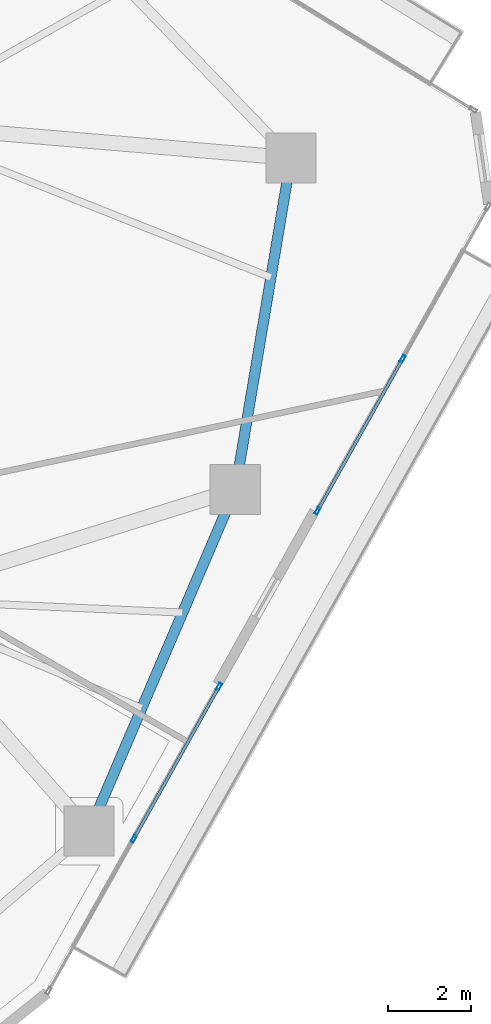
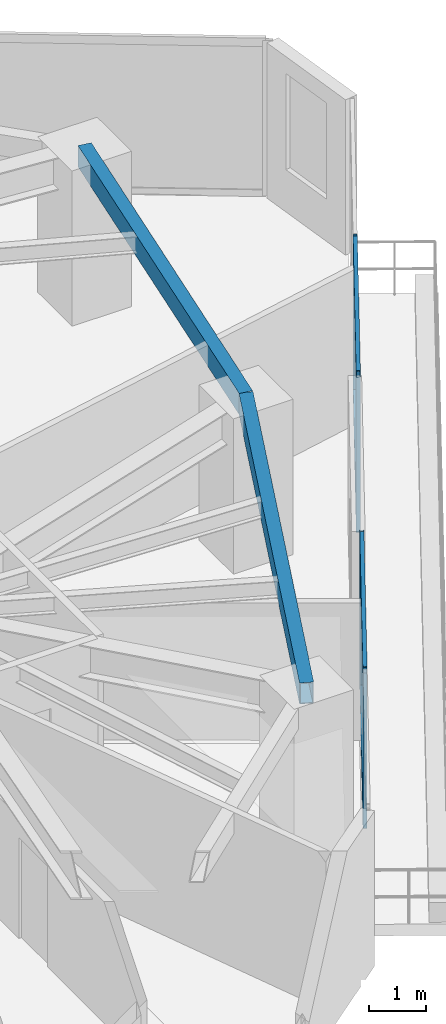
# One storey, part 10 of 21: 8 members, 2 beams, 2 elements without a shape of their own.
"""IFC4 building model written with IfcOpenShell, lengths in metres."""

from ifc_helpers import new_model, si_unit, direction, frame, origin, origin_2d, place, context, subcontext, project, spatial, hollow_rectangle, extrude, source, transform, mapped, material, layer, layer_set, material_profile, profile_set, type_object, type_shapes, element, aggregate, save


model = new_model("IFC4")

# Units and contexts
model_context = context("Model", 3, precision=1e-05, world=origin(), true_north=direction((0.0, 1.0)))
body_context = subcontext(model_context, "Body", "Model", "MODEL_VIEW")
ifc_project = project(units=[si_unit("LENGTHUNIT", "METRE"), si_unit("AREAUNIT", "SQUARE_METRE"), si_unit("VOLUMEUNIT", "CUBIC_METRE"), si_unit("PLANEANGLEUNIT", "RADIAN"), si_unit("MASSUNIT", "GRAM", prefix="KILO")], contexts=[model_context])

# Site, building, storey
site_placement = place(None, origin())
site = spatial("IfcSite", under=ifc_project, at=site_placement, CompositionType="ELEMENT")
building_placement = place(site_placement, origin())
building = spatial("IfcBuilding", under=site, at=building_placement, Name="Talar Marvaseh", CompositionType="ELEMENT")
storey_placement = place(building_placement, frame((0.0, 0.0, 139.800048828125)))
storey = spatial("IfcBuildingStorey", under=building, at=storey_placement, Name="L36", CompositionType="ELEMENT", Elevation=139.800048828125)

# Beams
ifc_material_1 = material(Name="Steel S355", Category="steel")
ifc_material_profile_1 = material_profile(ifc_material_1, hollow_rectangle(XDim=0.25, YDim=0.449951171875, WallThickness=0.01611328125, at=origin_2d()), Name="RHS450x250x16")
ifc_profile_set_1 = profile_set([ifc_material_profile_1], Name="Steel S355")
beam_type = type_object("IfcBeamType", Name="Zone 2 Perimeter Spandrel Beam RHS450x250x16", PredefinedType="SPANDREL", material=ifc_profile_set_1)
beam_1_placement = place(storey_placement, frame((43.0439453125, 36.075927734375, 3.0849609375), z_axis=(-0.165641685249, -0.986186002795, 0.0), x_axis=(0.986186002795, -0.165641685249, 0.0)))
element("IfcBeam", 1, at=beam_1_placement, inside=storey, type_object=beam_type, Name="L36 Zone 2 Perimeter Spandrel Beam RHS450x250x16", PredefinedType="SPANDREL", context=body_context, shape_type="SweptSolid", body=[
    extrude(hollow_rectangle(XDim=0.25, YDim=0.449951171875, WallThickness=0.01611328125, at=origin_2d()), origin(), (0.0, 0.0, 1.0), 8.059326171875),
])
beam_2_placement = place(storey_placement, frame((41.708984375, 28.1279296875, 3.0849609375), z_axis=(-0.393369955619, -0.919380268451, 0.0), x_axis=(0.919380268451, -0.393369955619, 0.0)))
element("IfcBeam", 2, at=beam_2_placement, inside=storey, type_object=beam_type, Name="L36 Zone 2 Perimeter Spandrel Beam RHS450x250x16", PredefinedType="SPANDREL", context=body_context, shape_type="SweptSolid", body=[
    extrude(hollow_rectangle(XDim=0.25, YDim=0.449951171875, WallThickness=0.01611328125, at=origin_2d()), origin(), (0.0, 0.0, 1.0), 8.905029296875),
])

# Curtain wall, members
ifc_material_2 = material(Name="Architectural Aluminium", Category="aluminium")
ifc_layer = layer(ifc_material_2, 0.199951171875)
ifc_layer_set = layer_set([ifc_layer], Name="Architectural Aluminium")
curtain_wall_type = type_object("IfcCurtainWallType", Name="Unitised Acoustic Library Curtain Wall Z2", PredefinedType="NOTDEFINED", material=ifc_layer_set)
curtain_wall_1_placement = place(storey_placement, origin())
curtain_wall_1 = element("IfcCurtainWall", 3, at=curtain_wall_1_placement, inside=storey, type_object=curtain_wall_type, Name="L36 Unitised Acoustic Library Curtain Wall Z2", PredefinedType="NOTDEFINED")
ifc_material_profile_2 = material_profile(ifc_material_2, hollow_rectangle(XDim=0.074951171875, YDim=0.179931640625, WallThickness=0.0048828125, at=origin_2d()), Name="RHS180x75x5")
ifc_profile_set_2 = profile_set([ifc_material_profile_2], Name="Architectural Aluminium")
member_type_1 = type_object("IfcMemberType", Name="Unitised Curtain Wall Standard Mullion RHS180x75x5", PredefinedType="MULLION", material=ifc_profile_set_2)
shared_shape_1 = source(origin(), body_context, "Body", "SweptSolid", [
    extrude(hollow_rectangle(XDim=0.074951171875, YDim=0.179931640625, WallThickness=0.0048828125, at=origin_2d()), origin(), (0.0, 0.0, 1.0), 3.31005859375),
])
type_shapes(member_type_1, [shared_shape_1])
member_1_placement = place(storey_placement, frame((45.721923828125, 31.262939453125, 0.0), z_axis=(0.0, 0.0, 1.0), x_axis=(0.87241842349, -0.488759751161, 0.0)))
member_1 = element("IfcMember", 4, at=member_1_placement, type_object=member_type_1, Name="CW-Z2 mullion 2", PredefinedType="MULLION", context=body_context, shape_type="MappedRepresentation", body=[
    mapped(shared_shape_1, transform((0.0, 0.0, 0.0), x_axis=(1.0, 0.0, 0.0), y_axis=(0.0, 1.0, 0.0), z_axis=(0.0, 0.0, 1.0), scale=1.0)),
])
member_2_placement = place(storey_placement, frame((43.679931640625, 27.617919921875, 0.0), z_axis=(0.0, 0.0, 1.0), x_axis=(0.87241842349, -0.488759751161, 0.0)))
member_2 = element("IfcMember", 5, at=member_2_placement, type_object=member_type_1, Name="CW-Z2 mullion 3", PredefinedType="MULLION", context=body_context, shape_type="MappedRepresentation", body=[
    mapped(shared_shape_1, transform((0.0, 0.0, 0.0), x_axis=(1.0, 0.0, 0.0), y_axis=(0.0, 1.0, 0.0), z_axis=(0.0, 0.0, 1.0), scale=1.0)),
])

curtain_wall_2_placement = place(storey_placement, origin())
curtain_wall_2 = element("IfcCurtainWall", 6, at=curtain_wall_2_placement, inside=storey, type_object=curtain_wall_type, Name="L36 Unitised Acoustic Library Curtain Wall Z2", PredefinedType="NOTDEFINED")
member_3_placement = place(storey_placement, frame((41.31884765625, 23.403564453125, 0.0), z_axis=(0.0, 0.0, 1.0), x_axis=(0.87241842349, -0.488759751161, 0.0)))
member_3 = element("IfcMember", 7, at=member_3_placement, type_object=member_type_1, Name="CW-Z2 mullion 1", PredefinedType="MULLION", context=body_context, shape_type="MappedRepresentation", body=[
    mapped(shared_shape_1, transform((0.0, 0.0, 0.0), x_axis=(1.0, 0.0, 0.0), y_axis=(0.0, 1.0, 0.0), z_axis=(0.0, 0.0, 1.0), scale=1.0)),
])
member_4_placement = place(storey_placement, frame((39.27685546875, 19.758544921875, 0.0), z_axis=(0.0, 0.0, 1.0), x_axis=(0.87241842349, -0.488759751161, 0.0)))
member_4 = element("IfcMember", 8, at=member_4_placement, type_object=member_type_1, Name="CW-Z2 mullion 2", PredefinedType="MULLION", context=body_context, shape_type="MappedRepresentation", body=[
    mapped(shared_shape_1, transform((0.0, 0.0, 0.0), x_axis=(1.0, 0.0, 0.0), y_axis=(0.0, 1.0, 0.0), z_axis=(0.0, 0.0, 1.0), scale=1.0)),
])

# Member
ifc_material_profile_3 = material_profile(ifc_material_2, hollow_rectangle(XDim=0.074951171875, YDim=0.179931640625, WallThickness=0.0048828125, at=origin_2d()), Name="RHS180x75x5")
ifc_profile_set_3 = profile_set([ifc_material_profile_3], Name="Architectural Aluminium")
member_type_2 = type_object("IfcMemberType", Name="Unitised Curtain Wall Transom RHS180x75x5", PredefinedType="USERDEFINED", material=ifc_profile_set_3)
shared_shape_2 = source(origin(), body_context, "Body", "SweptSolid", [
    extrude(hollow_rectangle(XDim=0.074951171875, YDim=0.179931640625, WallThickness=0.0048828125, at=origin_2d()), origin(), (0.0, 0.0, 1.0), 4.10302734375),
])
type_shapes(member_type_2, [shared_shape_2])
member_5_placement = place(storey_placement, frame((45.70361328125, 31.230224609375, 0.037353515625), z_axis=(-0.488751936423, -0.872422801538, 0.0), x_axis=(0.872422801538, -0.488751936423, 0.0)))
member_5 = element("IfcMember", 9, at=member_5_placement, type_object=member_type_2, Name="CW-Z2 transom 2.1", ObjectType="TRANSOM", PredefinedType="USERDEFINED", context=body_context, shape_type="MappedRepresentation", body=[
    mapped(shared_shape_2, transform((0.0, 0.0, 0.0), x_axis=(1.0, 0.0, 0.0), y_axis=(0.0, 1.0, 0.0), z_axis=(0.0, 0.0, 1.0), scale=1.0)),
])

member_6_placement = place(storey_placement, frame((45.70361328125, 31.230224609375, 3.2724609375), z_axis=(-0.488751936423, -0.872422801538, 0.0), x_axis=(0.872422801538, -0.488751936423, 0.0)))
member_6 = element("IfcMember", 10, at=member_6_placement, type_object=member_type_2, Name="CW-Z2 transom 2.2", ObjectType="TRANSOM", PredefinedType="USERDEFINED", context=body_context, shape_type="MappedRepresentation", body=[
    mapped(shared_shape_2, transform((0.0, 0.0, 0.0), x_axis=(1.0, 0.0, 0.0), y_axis=(0.0, 1.0, 0.0), z_axis=(0.0, 0.0, 1.0), scale=1.0)),
])

aggregate(curtain_wall_1, [member_1, member_2, member_5, member_6])

member_7_placement = place(storey_placement, frame((41.300537109375, 23.370849609375, 0.037353515625), z_axis=(-0.488751936423, -0.872422801538, 0.0), x_axis=(0.872422801538, -0.488751936423, 0.0)))
member_7 = element("IfcMember", 11, at=member_7_placement, type_object=member_type_2, Name="CW-Z2 transom 1.1", ObjectType="TRANSOM", PredefinedType="USERDEFINED", context=body_context, shape_type="MappedRepresentation", body=[
    mapped(shared_shape_2, transform((0.0, 0.0, 0.0), x_axis=(1.0, 0.0, 0.0), y_axis=(0.0, 1.0, 0.0), z_axis=(0.0, 0.0, 1.0), scale=1.0)),
])

member_8_placement = place(storey_placement, frame((41.300537109375, 23.370849609375, 3.2724609375), z_axis=(-0.488751936423, -0.872422801538, 0.0), x_axis=(0.872422801538, -0.488751936423, 0.0)))
member_8 = element("IfcMember", 12, at=member_8_placement, type_object=member_type_2, Name="CW-Z2 transom 1.2", ObjectType="TRANSOM", PredefinedType="USERDEFINED", context=body_context, shape_type="MappedRepresentation", body=[
    mapped(shared_shape_2, transform((0.0, 0.0, 0.0), x_axis=(1.0, 0.0, 0.0), y_axis=(0.0, 1.0, 0.0), z_axis=(0.0, 0.0, 1.0), scale=1.0)),
])

aggregate(curtain_wall_2, [member_3, member_4, member_7, member_8])

save(model, "model.ifc")
